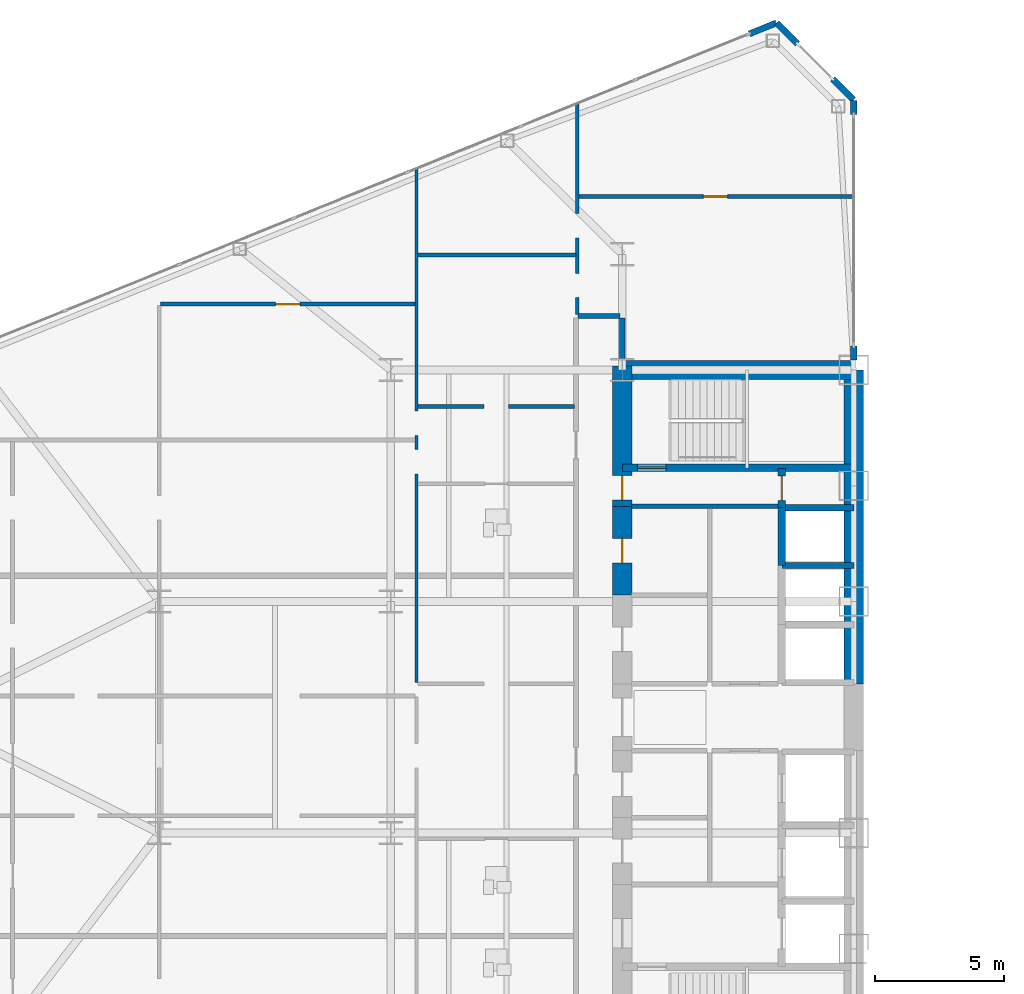
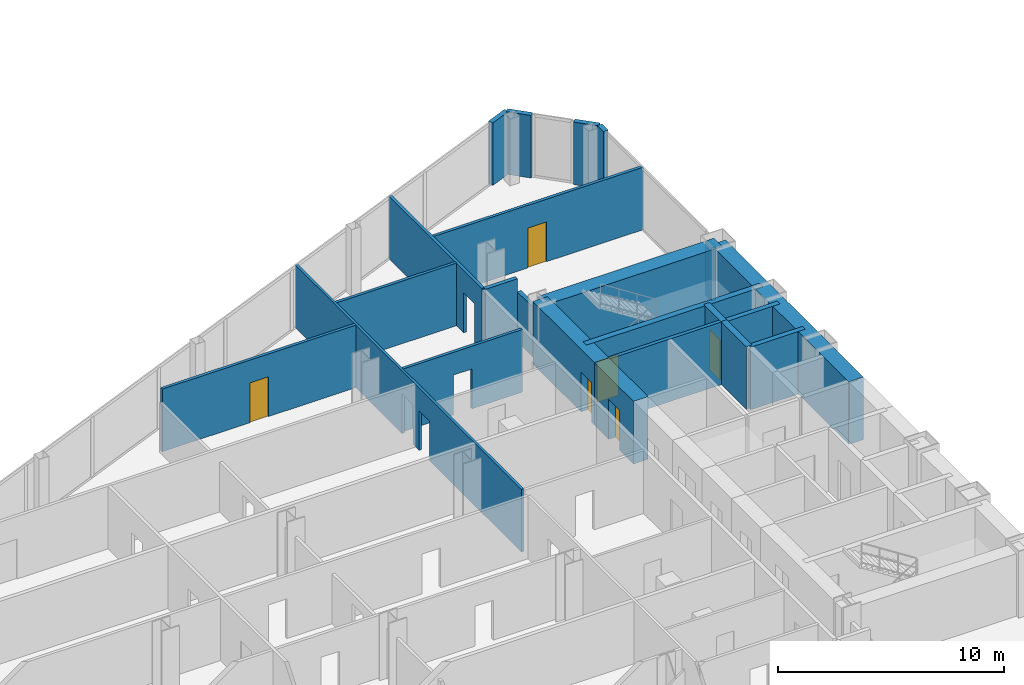
# One storey, part 19 of 25: 23 walls, 6 doors, 11 openings.
"""IFC4 building model written with IfcOpenShell, lengths in metres."""

from ifc_helpers import new_model, si_unit, direction, frame, frame_2d, origin, place, context, subcontext, project, spatial, rectangle, extrude, source, transform, mapped, material, layer, layer_set, type_object, type_shapes, element, fill, save


model = new_model("IFC4")

# Units and contexts
model_context = context("Model", 3, precision=1e-05, world=origin(), true_north=direction((0.0, 1.0)))
body_context = subcontext(model_context, "Body", "Model", "MODEL_VIEW")
ifc_project = project(units=[si_unit("LENGTHUNIT", "METRE"), si_unit("AREAUNIT", "SQUARE_METRE"), si_unit("VOLUMEUNIT", "CUBIC_METRE"), si_unit("PLANEANGLEUNIT", "RADIAN"), si_unit("MASSUNIT", "GRAM", prefix="KILO")], contexts=[model_context])

# Site, building, storey
site_placement = place(None, origin())
site = spatial("IfcSite", under=ifc_project, at=site_placement, CompositionType="ELEMENT")
building_placement = place(site_placement, origin())
building = spatial("IfcBuilding", under=site, at=building_placement, Name="Seokmaru Belvedere", CompositionType="ELEMENT")
storey_placement = place(building_placement, frame((0.0, 0.0, 51.300048828125)))
storey = spatial("IfcBuildingStorey", under=building, at=storey_placement, Name="L13", CompositionType="ELEMENT", Elevation=51.300048828125)

# Wall, opening
ifc_material_1 = material(Name="Fire-Rated Gypsum Shaftwall")
ifc_layer_1 = layer(ifc_material_1, 0.14990234375)
ifc_layer_set_1 = layer_set([ifc_layer_1], Name="Fire-Rated Gypsum Shaftwall")
wall_type_1 = type_object("IfcWallType", Name="Apartment Fire-Acoustic Room Partition 150", PredefinedType="PARTITIONING", material=ifc_layer_set_1)
wall_1_placement = place(storey_placement, frame((-44.449951171875, 12.080078125, 0.0), z_axis=(0.0, 0.0, 1.0), x_axis=(1.0, 0.0, 0.0)))
wall_1 = element("IfcWall", 1, at=wall_1_placement, inside=storey, type_object=wall_type_1, Name="L13 Interior Partition 027", PredefinedType="PARTITIONING", context=body_context, shape_type="SweptSolid", body=[
    extrude(rectangle(XDim=6.099853515625, YDim=0.14990234375, at=frame_2d((3.0498046875, 0.0))), origin(), (0.0, 0.0, 1.0), 3.3798828125),
])
opening_1_placement = place(wall_1_placement, frame((2.574951171875, 0.0, 0.0)))
element("IfcOpeningElement", 2, at=opening_1_placement, cuts=wall_1, Name="L13 Cased Opening 027", PredefinedType="OPENING", context=body_context, shape_type="SweptSolid", body=[
    extrude(rectangle(XDim=0.949951171875, YDim=2.14990234375, at=frame_2d((0.47509765625, 1.074951171875))), frame((0.0, 0.0849609375, 0.0), z_axis=(0.0, -1.0, 0.0), x_axis=(1.0, 0.0, 0.0)), (0.0, 0.0, 1.0), 0.169921875),
])

# Wall, opening, door
wall_2_placement = place(storey_placement, frame((-54.449951171875, 16.06005859375, 0.0), z_axis=(0.0, 0.0, 1.0), x_axis=(1.0, 0.0, 0.0)))
wall_2 = element("IfcWall", 3, at=wall_2_placement, inside=storey, type_object=wall_type_1, Name="L13 Interior Partition 031", PredefinedType="PARTITIONING", context=body_context, shape_type="SweptSolid", body=[
    extrude(rectangle(XDim=9.89990234375, YDim=0.14990234375, at=frame_2d((4.949951171875, 0.0))), origin(), (0.0, 0.0, 1.0), 3.3798828125),
])
opening_2_placement = place(wall_2_placement, frame((4.47509765625, 0.0, 0.0)))
opening_2 = element("IfcOpeningElement", 4, at=opening_2_placement, cuts=wall_2, Name="Opening D05", PredefinedType="OPENING", context=body_context, shape_type="SweptSolid", body=[
    extrude(rectangle(XDim=0.949951171875, YDim=2.14990234375, at=frame_2d((0.47509765625, 1.074951171875))), frame((0.0, 0.0849609375, 0.0), z_axis=(0.0, -1.0, 0.0), x_axis=(1.0, 0.0, 0.0)), (0.0, 0.0, 1.0), 0.169921875),
])
ifc_material_2 = material(Name="Engineered White Oak Timber", Category="wood")
door_type_1 = type_object("IfcDoorType", Name="Apartment Interior Fire-Rated Oak Door 950x2150", OperationType="NOTDEFINED", PredefinedType="DOOR", material=ifc_material_2)
shared_shape_1 = source(origin(), body_context, "Body", "SweptSolid", [
    extrude(rectangle(XDim=0.949951171875, YDim=2.14990234375, at=frame_2d((0.47509765625, 1.074951171875))), frame((0.0, 0.02490234375, 0.0), z_axis=(0.0, -1.0, 0.0), x_axis=(1.0, 0.0, 0.0)), (0.0, 0.0, 1.0), 0.050048828125),
])
type_shapes(door_type_1, [shared_shape_1])
door_1_placement = place(opening_2_placement, origin())
door_1 = element("IfcDoor", 5, at=door_1_placement, inside=storey, type_object=door_type_1, Name="L13 Interior Door 033", OperationType="SINGLE_SWING_RIGHT", OverallHeight=2.14990234375, OverallWidth=0.949951171875, PredefinedType="DOOR", context=body_context, shape_type="MappedRepresentation", body=[
    mapped(shared_shape_1, transform((0.0, 0.0, 0.0), scale=1.0)),
])
fill(opening_2, door_1)

# Wall
wall_3_placement = place(storey_placement, frame((-44.449951171875, 17.969970703125, 0.0), z_axis=(0.0, 0.0, 1.0), x_axis=(1.0, 0.0, 0.0)))
element("IfcWall", 6, at=wall_3_placement, inside=storey, type_object=wall_type_1, Name="L13 Interior Partition 032", PredefinedType="PARTITIONING", context=body_context, shape_type="SweptSolid", body=[
    extrude(rectangle(XDim=6.14990234375, YDim=0.14990234375, at=frame_2d((3.074951171875, 0.0))), origin(), (0.0, 0.0, 1.0), 3.3798828125),
])

# Wall, opening, door
wall_4_placement = place(storey_placement, frame((-38.199951171875, 20.25, 0.0), z_axis=(0.0, 0.0, 1.0), x_axis=(1.0, 0.0, 0.0)))
wall_4 = element("IfcWall", 7, at=wall_4_placement, inside=storey, type_object=wall_type_1, Name="L13 Interior Partition 033", PredefinedType="PARTITIONING", context=body_context, shape_type="SweptSolid", body=[
    extrude(rectangle(XDim=10.73486328125, YDim=0.14990234375, at=frame_2d((5.367431640625, 0.0))), origin(), (0.0, 0.0, 1.0), 3.3798828125),
])
opening_3_placement = place(wall_4_placement, frame((4.85009765625, 0.0, 0.0)))
opening_3 = element("IfcOpeningElement", 8, at=opening_3_placement, cuts=wall_4, Name="Opening D05", PredefinedType="OPENING", context=body_context, shape_type="SweptSolid", body=[
    extrude(rectangle(XDim=0.949951171875, YDim=2.14990234375, at=frame_2d((0.47509765625, 1.074951171875))), frame((0.0, 0.0849609375, 0.0), z_axis=(0.0, -1.0, 0.0), x_axis=(1.0, 0.0, 0.0)), (0.0, 0.0, 1.0), 0.169921875),
])
door_2_placement = place(opening_3_placement, origin())
door_2 = element("IfcDoor", 9, at=door_2_placement, inside=storey, type_object=door_type_1, Name="L13 Interior Door 035", OperationType="SINGLE_SWING_RIGHT", OverallHeight=2.14990234375, OverallWidth=0.949951171875, PredefinedType="DOOR", context=body_context, shape_type="MappedRepresentation", body=[
    mapped(shared_shape_1, transform((0.0, 0.0, 0.0), scale=1.0)),
])
fill(opening_3, door_2)

# Wall, openings
wall_5_placement = place(storey_placement, frame((-38.25, 15.64990234375, 0.0), z_axis=(0.0, 0.0, 1.0), x_axis=(0.0, 1.0, 0.0)))
wall_5 = element("IfcWall", 10, at=wall_5_placement, inside=storey, type_object=wall_type_1, Name="L13 Interior Partition 040", PredefinedType="PARTITIONING", context=body_context, shape_type="SweptSolid", body=[
    extrude(rectangle(XDim=8.248046875, YDim=0.14990234375, at=frame_2d((4.1240234375, 0.0))), origin(), (0.0, 0.0, 1.0), 3.3798828125),
])
opening_4_placement = place(wall_5_placement, frame((0.66015625, 0.0, 0.0)))
element("IfcOpeningElement", 11, at=opening_4_placement, cuts=wall_5, Name="L13 Cased Opening 034", PredefinedType="OPENING", context=body_context, shape_type="SweptSolid", body=[
    extrude(rectangle(XDim=0.949951171875, YDim=2.14990234375, at=frame_2d((0.47509765625, 1.074951171875))), frame((0.0, 0.0849609375, 0.0), z_axis=(0.0, -1.0, 0.0), x_axis=(1.0, 0.0, 0.0)), (0.0, 0.0, 1.0), 0.169921875),
])
opening_5_placement = place(wall_5_placement, frame((2.985107421875, 0.0, 0.0)))
element("IfcOpeningElement", 12, at=opening_5_placement, cuts=wall_5, Name="L13 Cased Opening 036", PredefinedType="OPENING", context=body_context, shape_type="SweptSolid", body=[
    extrude(rectangle(XDim=0.949951171875, YDim=2.14990234375, at=frame_2d((0.47509765625, 1.074951171875))), frame((0.0, 0.0849609375, 0.0), z_axis=(0.0, -1.0, 0.0), x_axis=(1.0, 0.0, 0.0)), (0.0, 0.0, 1.0), 0.169921875),
])

# Walls
ifc_layer_2 = layer(ifc_material_1, 0.179931640625)
ifc_layer_set_2 = layer_set([ifc_layer_2], Name="Fire-Rated Gypsum Shaftwall")
wall_type_2 = type_object("IfcWallType", Name="Core Service Fire Partition 180", PredefinedType="PARTITIONING", material=ifc_layer_set_2)
wall_6_placement = place(storey_placement, frame((-36.14990234375, 8.199951171875, 0.0), z_axis=(0.0, 0.0, 1.0), x_axis=(1.0, 0.0, 0.0)))
element("IfcWall", 13, at=wall_6_placement, inside=storey, type_object=wall_type_2, Name="L13 West Smokeproof Vestibule Partition", PredefinedType="PARTITIONING", context=body_context, shape_type="SweptSolid", body=[
    extrude(rectangle(XDim=5.699951171875, YDim=0.179931640625, at=frame_2d((2.85009765625, 0.0))), origin(), (0.0, 0.0, 1.0), 3.3798828125),
])
ifc_material_3 = material(Name="Concrete C50 (50 MPa)", Category="concrete")
ifc_layer_3 = layer(ifc_material_3, 0.25)
ifc_layer_set_3 = layer_set([ifc_layer_3], Name="Concrete C50 (50 MPa)")
wall_type_3 = type_object("IfcWallType", Name="Hoistway Transverse Concrete Divider Wall 250", PredefinedType="SHEAR", material=ifc_layer_set_3)
for number, where, z_axis, x_axis, name in (
    (14, (-30.300048828125, 5.89990234375, 0.0), (0.0, 0.0, 1.0), (1.0, 0.0, 0.0), "L13 West Hoistway Divider Core Wall 6"),
    (15, (-30.300048828125, 8.14990234375, 0.0), (0.0, 0.0, 1.0), (1.0, 0.0, 0.0), "L13 West Hoistway Divider Core Wall 7"),
):
    element("IfcWall", number, at=place(storey_placement, frame(where, z_axis=z_axis, x_axis=x_axis)), inside=storey, type_object=wall_type_3, Name=name, PredefinedType="SHEAR", context=body_context, shape_type="SweptSolid", body=[
        extrude(rectangle(XDim=2.800048828125, YDim=0.25, at=frame_2d((1.39990234375, 0.0))), origin(), (0.0, 0.0, 1.0), 3.3798828125),
    ])
ifc_layer_4 = layer(ifc_material_1, 0.199951171875)
ifc_layer_set_4 = layer_set([ifc_layer_4], Name="Fire-Rated Gypsum Shaftwall")
wall_type_4 = type_object("IfcWallType", Name="Inter-Tenancy Fire Compartment Partition 200", PredefinedType="PARTITIONING", material=ifc_layer_set_4)
wall_7_placement = place(storey_placement, frame((-38.215087890625, 15.60009765625, 0.0), z_axis=(0.0, 0.0, 1.0), x_axis=(1.0, 0.0, 0.0)))
element("IfcWall", 16, at=wall_7_placement, inside=storey, type_object=wall_type_4, Name="L13 Interior Partition 029", PredefinedType="PARTITIONING", context=body_context, shape_type="SweptSolid", body=[
    extrude(rectangle(XDim=1.630126953125, YDim=0.199951171875, at=frame_2d((0.81494140625, 0.0))), origin(), (0.0, 0.0, 1.0), 3.3798828125),
])
wall_8_placement = place(storey_placement, frame((-36.5, 13.8798828125, 0.0), z_axis=(0.0, 0.0, 1.0), x_axis=(0.0, 1.0, 0.0)))
element("IfcWall", 17, at=wall_8_placement, inside=storey, type_object=wall_type_4, Name="L13 Interior Partition 042", PredefinedType="PARTITIONING", context=body_context, shape_type="SweptSolid", body=[
    extrude(rectangle(XDim=1.635009765625, YDim=0.199951171875, at=frame_2d((0.8173828125, 0.0))), origin(), (0.0, 0.0, 1.0), 2.679931640625),
])

# Wall, opening, door
ifc_layer_5 = layer(ifc_material_3, 0.300048828125)
ifc_layer_set_5 = layer_set([ifc_layer_5], Name="Concrete C50 (50 MPa)")
wall_type_5 = type_object("IfcWallType", Name="Internal Core Stair and Hoistway Wall 300", PredefinedType="SHEAR", material=ifc_layer_set_5)
wall_9_placement = place(storey_placement, frame((-36.5, 9.699951171875, 0.0), z_axis=(0.0, 0.0, 1.0), x_axis=(1.0, 0.0, 0.0)))
wall_9 = element("IfcWall", 18, at=wall_9_placement, inside=storey, type_object=wall_type_5, Name="L13 West Stair ST-2 Enclosure Wall", PredefinedType="SHEAR", context=body_context, shape_type="SweptSolid", body=[
    extrude(rectangle(XDim=9.0, YDim=0.300048828125, at=frame_2d((4.5, 0.0))), origin(), (0.0, 0.0, 1.0), 3.3798828125),
])
opening_6_placement = place(wall_9_placement, frame((0.60009765625, 0.0, 0.0)))
opening_6 = element("IfcOpeningElement", 19, at=opening_6_placement, cuts=wall_9, Name="Opening D01", PredefinedType="OPENING", context=body_context, shape_type="SweptSolid", body=[
    extrude(rectangle(XDim=1.10009765625, YDim=2.199951171875, at=frame_2d((0.550048828125, 1.10009765625))), frame((0.0, 0.16015625, 0.0), z_axis=(0.0, -1.0, 0.0), x_axis=(1.0, 0.0, 0.0)), (0.0, 0.0, 1.0), 0.320068359375),
])
ifc_material_4 = material(Name="Fire-Rated Steel Leaf", Category="steel")
door_type_2 = type_object("IfcDoorType", Name="Special Escape Stair Smokeproof Fire Door 1100x2200", OperationType="NOTDEFINED", PredefinedType="DOOR", material=ifc_material_4)
shared_shape_2 = source(origin(), body_context, "Body", "SweptSolid", [
    extrude(rectangle(XDim=1.10009765625, YDim=2.199951171875, at=frame_2d((0.550048828125, 1.10009765625))), frame((0.0, 0.02490234375, 0.0), z_axis=(0.0, -1.0, 0.0), x_axis=(1.0, 0.0, 0.0)), (0.0, 0.0, 1.0), 0.050048828125),
])
type_shapes(door_type_2, [shared_shape_2])
door_3_placement = place(opening_6_placement, origin())
door_3 = element("IfcDoor", 20, at=door_3_placement, inside=storey, type_object=door_type_2, Name="L13 West Special Escape Stair ST-2 Door", OperationType="SINGLE_SWING_RIGHT", OverallHeight=2.199951171875, OverallWidth=1.10009765625, PredefinedType="DOOR", context=body_context, shape_type="MappedRepresentation", body=[
    mapped(shared_shape_2, transform((0.0, 0.0, 0.0), scale=1.0)),
])
fill(opening_6, door_3)

# Wall
wall_10_placement = place(storey_placement, frame((-30.300048828125, 5.89990234375, 0.0), z_axis=(0.0, 0.0, 1.0), x_axis=(0.0, 1.0, 0.0)))
element("IfcWall", 21, at=wall_10_placement, inside=storey, type_object=wall_type_5, Name="L13 West North Hoistway Wall OBS", PredefinedType="SHEAR", context=body_context, shape_type="SweptSolid", body=[
    extrude(rectangle(XDim=2.25, YDim=0.300048828125, at=frame_2d((1.125, 0.0))), origin(), (0.0, 0.0, 1.0), 3.3798828125),
])

# Wall, opening, door
wall_11_placement = place(storey_placement, frame((-30.300048828125, 8.14990234375, 0.0), z_axis=(0.0, 0.0, 1.0), x_axis=(0.0, 1.0, 0.0)))
wall_11 = element("IfcWall", 22, at=wall_11_placement, inside=storey, type_object=wall_type_5, Name="L13 West Electrical Riser Front Wall", PredefinedType="SHEAR", context=body_context, shape_type="SweptSolid", body=[
    extrude(rectangle(XDim=1.530029296875, YDim=0.300048828125, at=frame_2d((0.76513671875, 0.0))), origin(), (0.0, 0.0, 1.0), 3.3798828125),
])
opening_7_placement = place(wall_11_placement, frame((0.284912109375, 0.0, 0.0)))
opening_7 = element("IfcOpeningElement", 23, at=opening_7_placement, cuts=wall_11, Name="Opening D04", PredefinedType="OPENING", context=body_context, shape_type="SweptSolid", body=[
    extrude(rectangle(XDim=0.949951171875, YDim=2.14990234375, at=frame_2d((0.47509765625, 1.074951171875))), frame((0.0, 0.16015625, 0.0), z_axis=(0.0, -1.0, 0.0), x_axis=(1.0, 0.0, 0.0)), (0.0, 0.0, 1.0), 0.320068359375),
])
door_type_3 = type_object("IfcDoorType", Name="Core Service Room Fire Door 950x2150", OperationType="NOTDEFINED", PredefinedType="DOOR", material=ifc_material_4)
shared_shape_3 = source(origin(), body_context, "Body", "SweptSolid", [
    extrude(rectangle(XDim=0.949951171875, YDim=2.14990234375, at=frame_2d((0.47509765625, 1.074951171875))), frame((0.0, 0.02490234375, 0.0), z_axis=(0.0, -1.0, 0.0), x_axis=(1.0, 0.0, 0.0)), (0.0, 0.0, 1.0), 0.050048828125),
])
type_shapes(door_type_3, [shared_shape_3])
door_4_placement = place(opening_7_placement, origin())
door_4 = element("IfcDoor", 24, at=door_4_placement, inside=storey, type_object=door_type_3, Name="L13 West Electrical Riser Access Door", OperationType="SINGLE_SWING_LEFT", OverallHeight=2.14990234375, OverallWidth=0.949951171875, PredefinedType="DOOR", context=body_context, shape_type="MappedRepresentation", body=[
    mapped(shared_shape_3, transform((0.0, 0.0, 0.0), scale=1.0)),
])
fill(opening_7, door_4)

# Walls
ifc_material_5 = material(Name="Concrete C60 (60 MPa)", Category="concrete")
ifc_layer_6 = layer(ifc_material_5, 0.75)
ifc_layer_set_6 = layer_set([ifc_layer_6], Name="Concrete C60 (60 MPa)")
wall_type_6 = type_object("IfcWallType", Name="Lower Tower Reinforced Concrete Core Wall 750", PredefinedType="SHEAR", material=ifc_layer_set_6)
wall_12_placement = place(storey_placement, frame((-27.5, 1.300048828125, 0.0), z_axis=(0.0, 0.0, 1.0), x_axis=(0.0, 1.0, 0.0)))
element("IfcWall", 25, at=wall_12_placement, inside=storey, type_object=wall_type_6, Name="L13 West Portal Spine Core Wall North", PredefinedType="SHEAR", context=body_context, shape_type="SweptSolid", body=[
    extrude(rectangle(XDim=12.199951171875, YDim=0.75, at=frame_2d((6.10009765625, 0.0))), origin(), (0.0, 0.0, 1.0), 3.3798828125),
])
wall_13_placement = place(storey_placement, frame((-36.5, 13.5, 0.0), z_axis=(0.0, 0.0, 1.0), x_axis=(1.0, 0.0, 0.0)))
element("IfcWall", 26, at=wall_13_placement, inside=storey, type_object=wall_type_6, Name="L13 West North Core Wall", PredefinedType="SHEAR", context=body_context, shape_type="SweptSolid", body=[
    extrude(rectangle(XDim=9.0, YDim=0.75, at=frame_2d((4.5, 0.0))), origin(), (0.0, 0.0, 1.0), 3.3798828125),
])

# Wall, opening, door
wall_14_placement = place(storey_placement, frame((-36.5, 8.199951171875, 0.0), z_axis=(0.0, 0.0, 1.0), x_axis=(0.0, 1.0, 0.0)))
wall_14 = element("IfcWall", 27, at=wall_14_placement, inside=storey, type_object=wall_type_6, Name="L13 West West Core Wall VST", PredefinedType="SHEAR", context=body_context, shape_type="SweptSolid", body=[
    extrude(rectangle(XDim=5.449951171875, YDim=0.75, at=frame_2d((2.72509765625, 0.0))), origin(), (0.0, 0.0, 1.0), 3.3798828125),
])
opening_8_placement = place(wall_14_placement, frame((0.2451171875, 0.0, 0.0)))
opening_8 = element("IfcOpeningElement", 28, at=opening_8_placement, cuts=wall_14, Name="Opening D04", PredefinedType="OPENING", context=body_context, shape_type="SweptSolid", body=[
    extrude(rectangle(XDim=0.949951171875, YDim=2.14990234375, at=frame_2d((0.47509765625, 1.074951171875))), frame((0.0, 0.385009765625, 0.0), z_axis=(0.0, -1.0, 0.0), x_axis=(1.0, 0.0, 0.0)), (0.0, 0.0, 1.0), 0.77001953125),
])
door_5_placement = place(opening_8_placement, frame((0.949951171875, 0.0, 0.0), z_axis=(0.0, 0.0, 1.0), x_axis=(-1.0, 0.0, 0.0)))
door_5 = element("IfcDoor", 29, at=door_5_placement, inside=storey, type_object=door_type_3, Name="L13 West Smokeproof Vestibule Door", OperationType="SINGLE_SWING_RIGHT", OverallHeight=2.14990234375, OverallWidth=0.949951171875, PredefinedType="DOOR", context=body_context, shape_type="MappedRepresentation", body=[
    mapped(shared_shape_3, transform((0.0, 0.0, 0.0), scale=1.0)),
])
fill(opening_8, door_5)

wall_15_placement = place(storey_placement, frame((-36.5, 4.75, 0.0), z_axis=(0.0, 0.0, 1.0), x_axis=(0.0, 1.0, 0.0)))
wall_15 = element("IfcWall", 30, at=wall_15_placement, inside=storey, type_object=wall_type_6, Name="L13 West West Core Wall CS4", PredefinedType="SHEAR", context=body_context, shape_type="SweptSolid", body=[
    extrude(rectangle(XDim=3.449951171875, YDim=0.75, at=frame_2d((1.72509765625, 0.0))), origin(), (0.0, 0.0, 1.0), 3.3798828125),
])
opening_9_placement = place(wall_15_placement, frame((1.25, 0.0, 0.0)))
opening_9 = element("IfcOpeningElement", 31, at=opening_9_placement, cuts=wall_15, Name="Opening D04", PredefinedType="OPENING", context=body_context, shape_type="SweptSolid", body=[
    extrude(rectangle(XDim=0.949951171875, YDim=2.14990234375, at=frame_2d((0.47509765625, 1.074951171875))), frame((0.0, 0.385009765625, 0.0), z_axis=(0.0, -1.0, 0.0), x_axis=(1.0, 0.0, 0.0)), (0.0, 0.0, 1.0), 0.77001953125),
])
door_6_placement = place(opening_9_placement, origin())
door_6 = element("IfcDoor", 32, at=door_6_placement, inside=storey, type_object=door_type_3, Name="L13 West Core Service Room Door 4", OperationType="SINGLE_SWING_RIGHT", OverallHeight=2.14990234375, OverallWidth=0.949951171875, PredefinedType="DOOR", context=body_context, shape_type="MappedRepresentation", body=[
    mapped(shared_shape_3, transform((0.0, 0.0, 0.0), scale=1.0)),
])
fill(opening_9, door_6)

# Wall, openings
ifc_layer_7 = layer(ifc_material_1, 0.1298828125)
ifc_layer_set_7 = layer_set([ifc_layer_7], Name="Fire-Rated Gypsum Shaftwall")
wall_type_7 = type_object("IfcWallType", Name="Moisture-Resistant Fire-Rated Bathroom Partition 130", PredefinedType="PARTITIONING", material=ifc_layer_set_7)
wall_16_placement = place(storey_placement, frame((-44.5, 1.35205078125, 0.0), z_axis=(0.0, 0.0, 1.0), x_axis=(0.0, 1.0, 0.0)))
wall_16 = element("IfcWall", 33, at=wall_16_placement, inside=storey, type_object=wall_type_7, Name="L13 Interior Partition 037", PredefinedType="PARTITIONING", context=body_context, shape_type="SweptSolid", body=[
    extrude(rectangle(XDim=20.015869140625, YDim=0.1298828125, at=frame_2d((10.0078125, 0.0))), origin(), (0.0, 0.0, 1.0), 3.3798828125),
])
opening_10_placement = place(wall_16_placement, frame((8.1005859375, 0.0, 0.0)))
element("IfcOpeningElement", 34, at=opening_10_placement, cuts=wall_16, Name="L13 Cased Opening 028", PredefinedType="OPENING", context=body_context, shape_type="SweptSolid", body=[
    extrude(rectangle(XDim=0.949951171875, YDim=2.14990234375, at=frame_2d((0.47509765625, 1.074951171875))), frame((0.0, 0.074951171875, 0.0), z_axis=(0.0, -1.0, 0.0), x_axis=(1.0, 0.0, 0.0)), (0.0, 0.0, 1.0), 0.14990234375),
])
opening_11_placement = place(wall_16_placement, frame((9.6005859375, 0.0, 0.0)))
element("IfcOpeningElement", 35, at=opening_11_placement, cuts=wall_16, Name="L13 Cased Opening 029", PredefinedType="OPENING", context=body_context, shape_type="SweptSolid", body=[
    extrude(rectangle(XDim=0.949951171875, YDim=2.14990234375, at=frame_2d((0.47509765625, 1.074951171875))), frame((0.0, 0.074951171875, 0.0), z_axis=(0.0, -1.0, 0.0), x_axis=(1.0, 0.0, 0.0)), (0.0, 0.0, 1.0), 0.14990234375),
])

# Walls
ifc_material_6 = material(Name="Anodised Bronze Aluminium", Category="aluminium")
ifc_layer_8 = layer(ifc_material_6, 0.239990234375)
ifc_layer_set_8 = layer_set([ifc_layer_8], Name="Anodised Bronze Aluminium")
wall_type_8 = type_object("IfcWallType", Name="Tower Corner Spandrel Closure Wall 240", PredefinedType="SOLIDWALL", material=ifc_layer_set_8)
wall_17_placement = place(storey_placement, frame((-27.5, 13.8798828125, 0.0), z_axis=(0.0, 0.0, 1.0), x_axis=(0.0, 1.0, 0.0)))
element("IfcWall", 36, at=wall_17_placement, inside=storey, type_object=wall_type_8, Name="L13 W Spine Closure Pier 2A", PredefinedType="SOLIDWALL", context=body_context, shape_type="SweptSolid", body=[
    extrude(rectangle(XDim=0.550048828125, YDim=0.239990234375, at=frame_2d((0.27490234375, 0.0))), origin(), (0.0, 0.0, 1.0), 2.8798828125),
])
wall_18_placement = place(storey_placement, frame((-27.5, 23.429931640625, 0.0), z_axis=(0.0, 0.0, 1.0), x_axis=(0.0, 1.0, 0.0)))
element("IfcWall", 37, at=wall_18_placement, inside=storey, type_object=wall_type_8, Name="L13 W Spine Closure Pier 2B", PredefinedType="SOLIDWALL", context=body_context, shape_type="SweptSolid", body=[
    extrude(rectangle(XDim=0.550048828125, YDim=0.239990234375, at=frame_2d((0.27490234375, 0.0))), origin(), (0.0, 0.0, 1.0), 3.3798828125),
])
for number, where, z_axis, x_axis, name in (
    (38, (-27.507080078125, 24.007080078125, 0.0), (0.0, 0.0, 1.0), (-0.707106781187, 0.707106781187, 0.0), "L13 W Corner Closure Pier 2A"),
    (39, (-29.686767578125, 26.186767578125, 0.0), (0.0, 0.0, 1.0), (-0.707106781187, 0.707106781187, 0.0), "L13 W Corner Closure Pier 2B"),
):
    element("IfcWall", number, at=place(storey_placement, frame(where, z_axis=z_axis, x_axis=x_axis)), inside=storey, type_object=wall_type_8, Name=name, PredefinedType="SOLIDWALL", context=body_context, shape_type="SweptSolid", body=[
        extrude(rectangle(XDim=1.14013671875, YDim=0.239990234375, at=frame_2d((0.570068359375, 0.0))), origin(), (0.0, 0.0, 1.0), 3.3798828125),
    ])
wall_19_placement = place(storey_placement, frame((-30.50927734375, 26.99609375, 0.0), z_axis=(0.0, 0.0, 1.0), x_axis=(-0.927007103665, -0.375043770452, 0.0)))
element("IfcWall", 40, at=wall_19_placement, inside=storey, type_object=wall_type_8, Name="L13 W Corner Closure Pier 3A", PredefinedType="SOLIDWALL", context=body_context, shape_type="SweptSolid", body=[
    extrude(rectangle(XDim=1.139892578125, YDim=0.239990234375, at=frame_2d((0.56982421875, 0.0))), origin(), (0.0, 0.0, 1.0), 3.3798828125),
])

save(model, "model.ifc")
